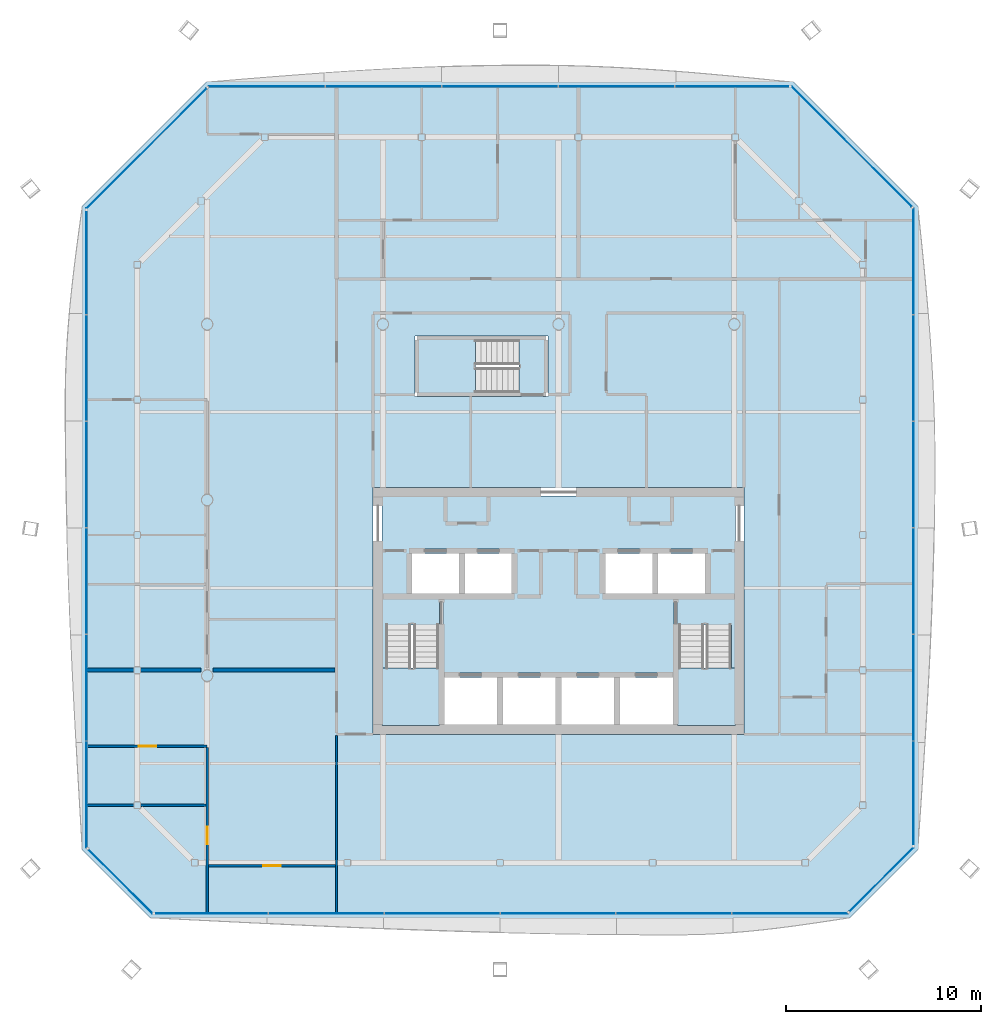
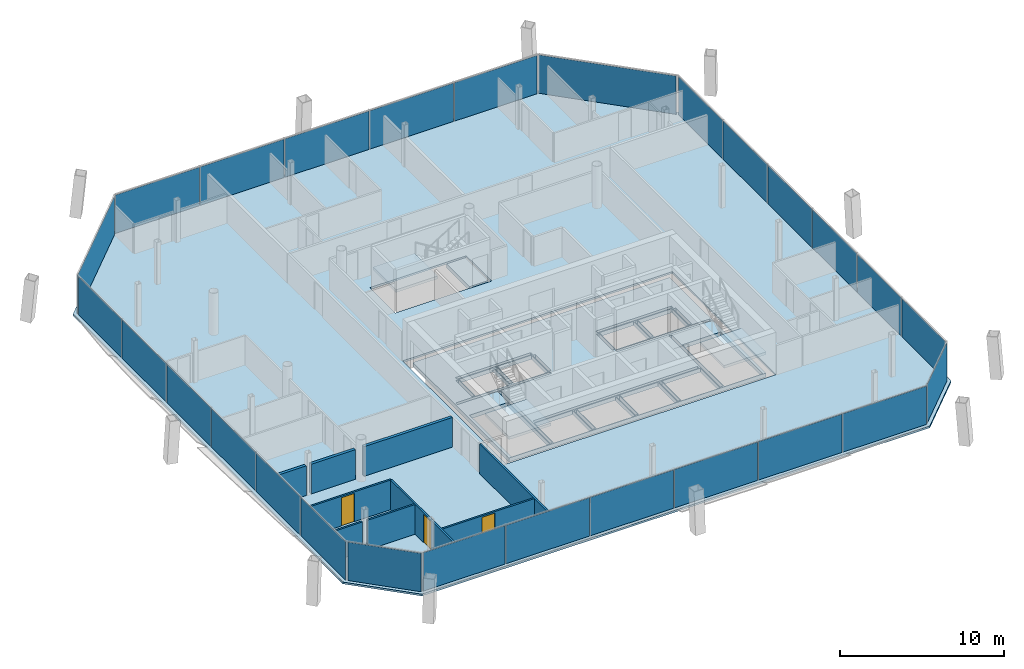
# One storey, part 13 of 20: 27 plates, 9 walls, 6 slabs, 3 doors, 3 openings, 11 elements without a shape of their own.
"""IFC4 building model written with IfcOpenShell, lengths in metres."""

from ifc_helpers import new_model, si_unit, direction, frame, frame_2d, origin, origin_2d, place, context, subcontext, project, spatial, polyline, rectangle, outline, extrude, material, layer, layer_set, type_object, element, fill, aggregate, save


model = new_model("IFC4")

# Units and contexts
model_context = context("Model", 3, precision=1e-05, world=origin(), true_north=direction((0.0, 1.0)))
body_context = subcontext(model_context, "Body", "Model", "MODEL_VIEW")
ifc_project = project(units=[si_unit("LENGTHUNIT", "METRE"), si_unit("AREAUNIT", "SQUARE_METRE"), si_unit("VOLUMEUNIT", "CUBIC_METRE"), si_unit("PLANEANGLEUNIT", "RADIAN"), si_unit("MASSUNIT", "GRAM", prefix="KILO")], contexts=[model_context])

# Site, building, storey
site_placement = place(None, origin())
site = spatial("IfcSite", under=ifc_project, at=site_placement, CompositionType="ELEMENT")
building_placement = place(site_placement, origin())
building = spatial("IfcBuilding", under=site, at=building_placement, Name="Tskaro Facet Tower", CompositionType="ELEMENT")
storey_placement = place(building_placement, frame((0.0, 0.0, 175.35009765625)))
storey = spatial("IfcBuildingStorey", under=building, at=storey_placement, Name="L43", CompositionType="ELEMENT", Elevation=175.35009765625)

# Slab
ifc_material_1 = material(Name="Concrete C30/37", Category="concrete")
ifc_layer_1 = layer(ifc_material_1, 0.139892578125, Name="Concrete C30/37")
ifc_layer_set_1 = layer_set([ifc_layer_1], Name="Concrete C30/37")
slab_type_1 = type_object("IfcSlabType", Name="Composite deck floor slab", PredefinedType="FLOOR", material=ifc_layer_set_1)
slab_1_placement = place(storey_placement, frame((0.0, 0.0, -0.14013671875)))
element("IfcSlab", 1, at=slab_1_placement, inside=storey, type_object=slab_type_1, Name="Floor slab FS3 L43", PredefinedType="FLOOR", context=body_context, shape_type="SweptSolid", body=[
    extrude(outline(polyline([(-20.904052734375, -21.426025390625), (14.904052734375, -21.426025390625), (18.426025390625, -17.904052734375), (18.426025390625, 15.034912109375), (12.034912109375, 21.426025390625), (-18.034912109375, 21.426025390625), (-24.426025390625, 15.034912109375), (-24.426025390625, -17.904052734375), (-20.904052734375, -21.426025390625)]), holes=[polyline([(-9.5, -12.0), (9.5, -12.0), (9.5, 0.64990234375), (-9.5, 0.64990234375), (-9.5, -12.0)]), polyline([(-7.35009765625, 5.300048828125), (-0.550048828125, 5.300048828125), (-0.550048828125, 8.39990234375), (-7.35009765625, 8.39990234375), (-7.35009765625, 5.300048828125)])]), origin(), (0.0, 0.0, 1.0), 0.14013671875),
])

# Curtain wall, plates
ifc_material_2 = material(Name="Bronze anodised aluminium 6063-T6", Category="aluminium")
curtain_wall_type = type_object("IfcCurtainWallType", Name="Bronze residence curtain wall (FW3)", PredefinedType="NOTDEFINED", material=ifc_material_2)
curtain_wall_1_placement = place(storey_placement, origin())
curtain_wall_1 = element("IfcCurtainWall", 2, at=curtain_wall_1_placement, inside=storey, type_object=curtain_wall_type, Name="FW3 south facet L43", PredefinedType="NOTDEFINED")
ifc_material_3 = material(Name="Bronze low-iron glass", Category="glass")
ifc_layer_2 = layer(ifc_material_3, 0.028076171875, Name="Bronze low-iron glass")
ifc_layer_set_2 = layer_set([ifc_layer_2], Name="Bronze low-iron glass")
plate_type = type_object("IfcPlateType", Name="FW3 bronze-tinted unit glazing 28", PredefinedType="CURTAIN_PANEL", material=ifc_layer_set_2)
plate_1_placement = place(storey_placement, frame((-17.77587890625, -21.176025390625, 0.0), z_axis=(0.0, 0.0, 1.0), x_axis=(1.0, 0.0, 0.0)))
plate_1 = element("IfcPlate", 3, at=plate_1_placement, type_object=plate_type, Name="FW3 south glazing 1.1", PredefinedType="CURTAIN_PANEL", context=body_context, shape_type="SweptSolid", body=[
    extrude(rectangle(XDim=5.768310546875, YDim=0.028076171875, at=origin_2d()), origin(), (0.0, 0.0, 1.0), 2.860107421875),
])
plate_2_placement = place(storey_placement, frame((-11.89990234375, -21.176025390625, 0.0), z_axis=(0.0, 0.0, 1.0), x_axis=(1.0, 0.0, 0.0)))
plate_2 = element("IfcPlate", 4, at=plate_2_placement, type_object=plate_type, Name="FW3 south glazing 2.1", PredefinedType="CURTAIN_PANEL", context=body_context, shape_type="SweptSolid", body=[
    extrude(rectangle(XDim=5.88330078125, YDim=0.028076171875, at=origin_2d()), origin(), (0.0, 0.0, 1.0), 2.860107421875),
])
plate_3_placement = place(storey_placement, frame((-5.966552734375, -21.176025390625, 0.0), z_axis=(0.0, 0.0, 1.0), x_axis=(1.0, 0.0, 0.0)))
plate_3 = element("IfcPlate", 5, at=plate_3_placement, type_object=plate_type, Name="FW3 south glazing 3.1", PredefinedType="CURTAIN_PANEL", context=body_context, shape_type="SweptSolid", body=[
    extrude(rectangle(XDim=5.88330078125, YDim=0.028076171875, at=origin_2d()), origin(), (0.0, 0.0, 1.0), 2.860107421875),
])
plate_4_placement = place(storey_placement, frame((-0.033447265625, -21.176025390625, 0.0), z_axis=(0.0, 0.0, 1.0), x_axis=(1.0, 0.0, 0.0)))
plate_4 = element("IfcPlate", 6, at=plate_4_placement, type_object=plate_type, Name="FW3 south glazing 4.1", PredefinedType="CURTAIN_PANEL", context=body_context, shape_type="SweptSolid", body=[
    extrude(rectangle(XDim=5.88330078125, YDim=0.028076171875, at=origin_2d()), origin(), (0.0, 0.0, 1.0), 2.860107421875),
])
plate_5_placement = place(storey_placement, frame((5.89990234375, -21.176025390625, 0.0), z_axis=(0.0, 0.0, 1.0), x_axis=(1.0, 0.0, 0.0)))
plate_5 = element("IfcPlate", 7, at=plate_5_placement, type_object=plate_type, Name="FW3 south glazing 5.1", PredefinedType="CURTAIN_PANEL", context=body_context, shape_type="SweptSolid", body=[
    extrude(rectangle(XDim=5.88330078125, YDim=0.028076171875, at=origin_2d()), origin(), (0.0, 0.0, 1.0), 2.860107421875),
])
plate_6_placement = place(storey_placement, frame((11.845947265625, -21.176025390625, 0.0), z_axis=(0.0, 0.0, 1.0), x_axis=(1.0, 0.0, 0.0)))
plate_6 = element("IfcPlate", 8, at=plate_6_placement, type_object=plate_type, Name="FW3 south glazing 6.1", PredefinedType="CURTAIN_PANEL", context=body_context, shape_type="SweptSolid", body=[
    extrude(rectangle(XDim=5.908447265625, YDim=0.028076171875, at=origin_2d()), origin(), (0.0, 0.0, 1.0), 2.860107421875),
])
aggregate(curtain_wall_1, [plate_1, plate_2, plate_3, plate_4, plate_5, plate_6])

# Curtain wall, plate
curtain_wall_2_placement = place(storey_placement, origin())
curtain_wall_2 = element("IfcCurtainWall", 9, at=curtain_wall_2_placement, inside=storey, type_object=curtain_wall_type, Name="FW3 south-east facet L43", PredefinedType="NOTDEFINED")
plate_7_placement = place(storey_placement, frame((16.53759765625, -19.4384765625, 0.0), z_axis=(0.0, 0.0, 1.0), x_axis=(0.707106781187, 0.707106781187, 0.0)))
plate_7 = element("IfcPlate", 10, at=plate_7_placement, type_object=plate_type, Name="FW3 south-east glazing 1.1", PredefinedType="CURTAIN_PANEL", context=body_context, shape_type="SweptSolid", body=[
    extrude(rectangle(XDim=4.63427734375, YDim=0.028076171875, at=origin_2d()), origin(), (0.0, 0.0, 1.0), 2.860107421875),
])
aggregate(curtain_wall_2, [plate_7])

# Curtain wall, plates
curtain_wall_3_placement = place(storey_placement, origin())
curtain_wall_3 = element("IfcCurtainWall", 11, at=curtain_wall_3_placement, inside=storey, type_object=curtain_wall_type, Name="FW3 east facet L43", PredefinedType="NOTDEFINED")
plate_8_placement = place(storey_placement, frame((18.176025390625, -15.014892578125, 0.0), z_axis=(0.0, 0.0, 1.0), x_axis=(0.0, 1.0, 0.0)))
plate_8 = element("IfcPlate", 12, at=plate_8_placement, type_object=plate_type, Name="FW3 east glazing 1.1", PredefinedType="CURTAIN_PANEL", context=body_context, shape_type="SweptSolid", body=[
    extrude(rectangle(XDim=5.290283203125, YDim=0.028076171875, at=origin_2d()), origin(), (0.0, 0.0, 1.0), 2.860107421875),
])
plate_9_placement = place(storey_placement, frame((18.176025390625, -9.6171875, 0.0), z_axis=(0.0, 0.0, 1.0), x_axis=(0.0, 1.0, 0.0)))
plate_9 = element("IfcPlate", 13, at=plate_9_placement, type_object=plate_type, Name="FW3 east glazing 2.1", PredefinedType="CURTAIN_PANEL", context=body_context, shape_type="SweptSolid", body=[
    extrude(rectangle(XDim=5.4052734375, YDim=0.028076171875, at=origin_2d()), origin(), (0.0, 0.0, 1.0), 2.860107421875),
])
plate_10_placement = place(storey_placement, frame((18.176025390625, -4.162109375, 0.0), z_axis=(0.0, 0.0, 1.0), x_axis=(0.0, 1.0, 0.0)))
plate_10 = element("IfcPlate", 14, at=plate_10_placement, type_object=plate_type, Name="FW3 east glazing 3.1", PredefinedType="CURTAIN_PANEL", context=body_context, shape_type="SweptSolid", body=[
    extrude(rectangle(XDim=5.4052734375, YDim=0.028076171875, at=origin_2d()), origin(), (0.0, 0.0, 1.0), 2.860107421875),
])
plate_11_placement = place(storey_placement, frame((18.176025390625, 1.29296875, 0.0), z_axis=(0.0, 0.0, 1.0), x_axis=(0.0, 1.0, 0.0)))
plate_11 = element("IfcPlate", 15, at=plate_11_placement, type_object=plate_type, Name="FW3 east glazing 4.1", PredefinedType="CURTAIN_PANEL", context=body_context, shape_type="SweptSolid", body=[
    extrude(rectangle(XDim=5.4052734375, YDim=0.028076171875, at=origin_2d()), origin(), (0.0, 0.0, 1.0), 2.860107421875),
])
plate_12_placement = place(storey_placement, frame((18.176025390625, 6.748291015625, 0.0), z_axis=(0.0, 0.0, 1.0), x_axis=(0.0, 1.0, 0.0)))
plate_12 = element("IfcPlate", 16, at=plate_12_placement, type_object=plate_type, Name="FW3 east glazing 5.1", PredefinedType="CURTAIN_PANEL", context=body_context, shape_type="SweptSolid", body=[
    extrude(rectangle(XDim=5.4052734375, YDim=0.028076171875, at=origin_2d()), origin(), (0.0, 0.0, 1.0), 2.860107421875),
])
plate_13_placement = place(storey_placement, frame((18.176025390625, 12.2158203125, 0.0), z_axis=(0.0, 0.0, 1.0), x_axis=(0.0, 1.0, 0.0)))
plate_13 = element("IfcPlate", 17, at=plate_13_placement, type_object=plate_type, Name="FW3 east glazing 6.1", PredefinedType="CURTAIN_PANEL", context=body_context, shape_type="SweptSolid", body=[
    extrude(rectangle(XDim=5.43017578125, YDim=0.028076171875, at=origin_2d()), origin(), (0.0, 0.0, 1.0), 2.860107421875),
])
aggregate(curtain_wall_3, [plate_8, plate_9, plate_10, plate_11, plate_12, plate_13])

# Curtain wall, plate
curtain_wall_4_placement = place(storey_placement, origin())
curtain_wall_4 = element("IfcCurtainWall", 18, at=curtain_wall_4_placement, inside=storey, type_object=curtain_wall_type, Name="FW3 north-east facet L43", PredefinedType="NOTDEFINED")
plate_14_placement = place(storey_placement, frame((15.00390625, 18.10302734375, 0.0), z_axis=(0.0, 0.0, 1.0), x_axis=(-0.707106781187, 0.707106781187, 0.0)))
plate_14 = element("IfcPlate", 19, at=plate_14_placement, type_object=plate_type, Name="FW3 north-east glazing 1.1", PredefinedType="CURTAIN_PANEL", context=body_context, shape_type="SweptSolid", body=[
    extrude(rectangle(XDim=8.691650390625, YDim=0.028076171875, at=origin_2d()), origin(), (0.0, 0.0, 1.0), 2.860107421875),
])
aggregate(curtain_wall_4, [plate_14])

# Curtain wall, plates
curtain_wall_5_placement = place(storey_placement, origin())
curtain_wall_5 = element("IfcCurtainWall", 20, at=curtain_wall_5_placement, inside=storey, type_object=curtain_wall_type, Name="FW3 north facet L43", PredefinedType="NOTDEFINED")
plate_15_placement = place(storey_placement, frame((8.88720703125, 21.176025390625, 0.0), z_axis=(0.0, 0.0, 1.0), x_axis=(-1.0, 0.0, 0.0)))
plate_15 = element("IfcPlate", 21, at=plate_15_placement, type_object=plate_type, Name="FW3 north glazing 1.1", PredefinedType="CURTAIN_PANEL", context=body_context, shape_type="SweptSolid", body=[
    extrude(rectangle(XDim=5.807373046875, YDim=0.028076171875, at=origin_2d()), origin(), (0.0, 0.0, 1.0), 2.860107421875),
])
plate_16_placement = place(storey_placement, frame((2.972412109375, 21.176025390625, 0.0), z_axis=(0.0, 0.0, 1.0), x_axis=(-1.0, 0.0, 0.0)))
plate_16 = element("IfcPlate", 22, at=plate_16_placement, type_object=plate_type, Name="FW3 north glazing 2.1", PredefinedType="CURTAIN_PANEL", context=body_context, shape_type="SweptSolid", body=[
    extrude(rectangle(XDim=5.92236328125, YDim=0.028076171875, at=origin_2d()), origin(), (0.0, 0.0, 1.0), 2.860107421875),
])
plate_17_placement = place(storey_placement, frame((-3.0, 21.176025390625, 0.0), z_axis=(0.0, 0.0, 1.0), x_axis=(-1.0, 0.0, 0.0)))
plate_17 = element("IfcPlate", 23, at=plate_17_placement, type_object=plate_type, Name="FW3 north glazing 3.1", PredefinedType="CURTAIN_PANEL", context=body_context, shape_type="SweptSolid", body=[
    extrude(rectangle(XDim=5.92236328125, YDim=0.028076171875, at=origin_2d()), origin(), (0.0, 0.0, 1.0), 2.860107421875),
])
plate_18_placement = place(storey_placement, frame((-8.972412109375, 21.176025390625, 0.0), z_axis=(0.0, 0.0, 1.0), x_axis=(-1.0, 0.0, 0.0)))
plate_18 = element("IfcPlate", 24, at=plate_18_placement, type_object=plate_type, Name="FW3 north glazing 4.1", PredefinedType="CURTAIN_PANEL", context=body_context, shape_type="SweptSolid", body=[
    extrude(rectangle(XDim=5.92236328125, YDim=0.028076171875, at=origin_2d()), origin(), (0.0, 0.0, 1.0), 2.860107421875),
])
plate_19_placement = place(storey_placement, frame((-14.957275390625, 21.176025390625, 0.0), z_axis=(0.0, 0.0, 1.0), x_axis=(-1.0, 0.0, 0.0)))
plate_19 = element("IfcPlate", 25, at=plate_19_placement, type_object=plate_type, Name="FW3 north glazing 5.1", PredefinedType="CURTAIN_PANEL", context=body_context, shape_type="SweptSolid", body=[
    extrude(rectangle(XDim=5.947509765625, YDim=0.028076171875, at=origin_2d()), origin(), (0.0, 0.0, 1.0), 2.860107421875),
])
aggregate(curtain_wall_5, [plate_15, plate_16, plate_17, plate_18, plate_19])

# Curtain wall, plate
curtain_wall_6_placement = place(storey_placement, origin())
curtain_wall_6 = element("IfcCurtainWall", 26, at=curtain_wall_6_placement, inside=storey, type_object=curtain_wall_type, Name="FW3 north-west facet L43", PredefinedType="NOTDEFINED")
plate_20_placement = place(storey_placement, frame((-21.10302734375, 18.00390625, 0.0), z_axis=(0.0, 0.0, 1.0), x_axis=(-0.707106781187, -0.707106781187, 0.0)))
plate_20 = element("IfcPlate", 27, at=plate_20_placement, type_object=plate_type, Name="FW3 north-west glazing 1.1", PredefinedType="CURTAIN_PANEL", context=body_context, shape_type="SweptSolid", body=[
    extrude(rectangle(XDim=8.691650390625, YDim=0.028076171875, at=origin_2d()), origin(), (0.0, 0.0, 1.0), 2.860107421875),
])
aggregate(curtain_wall_6, [plate_20])

# Curtain wall, plates
curtain_wall_7_placement = place(storey_placement, origin())
curtain_wall_7 = element("IfcCurtainWall", 28, at=curtain_wall_7_placement, inside=storey, type_object=curtain_wall_type, Name="FW3 west facet L43", PredefinedType="NOTDEFINED")
plate_21_placement = place(storey_placement, frame((-24.176025390625, 12.14599609375, 0.0), z_axis=(0.0, 0.0, 1.0), x_axis=(0.0, -1.0, 0.0)))
plate_21 = element("IfcPlate", 29, at=plate_21_placement, type_object=plate_type, Name="FW3 west glazing 1.1", PredefinedType="CURTAIN_PANEL", context=body_context, shape_type="SweptSolid", body=[
    extrude(rectangle(XDim=5.290283203125, YDim=0.028076171875, at=origin_2d()), origin(), (0.0, 0.0, 1.0), 2.860107421875),
])
plate_22_placement = place(storey_placement, frame((-24.176025390625, 6.748291015625, 0.0), z_axis=(0.0, 0.0, 1.0), x_axis=(0.0, -1.0, 0.0)))
plate_22 = element("IfcPlate", 30, at=plate_22_placement, type_object=plate_type, Name="FW3 west glazing 2.1", PredefinedType="CURTAIN_PANEL", context=body_context, shape_type="SweptSolid", body=[
    extrude(rectangle(XDim=5.4052734375, YDim=0.028076171875, at=origin_2d()), origin(), (0.0, 0.0, 1.0), 2.860107421875),
])
plate_23_placement = place(storey_placement, frame((-24.176025390625, 1.29296875, 0.0), z_axis=(0.0, 0.0, 1.0), x_axis=(0.0, -1.0, 0.0)))
plate_23 = element("IfcPlate", 31, at=plate_23_placement, type_object=plate_type, Name="FW3 west glazing 3.1", PredefinedType="CURTAIN_PANEL", context=body_context, shape_type="SweptSolid", body=[
    extrude(rectangle(XDim=5.4052734375, YDim=0.028076171875, at=origin_2d()), origin(), (0.0, 0.0, 1.0), 2.860107421875),
])
plate_24_placement = place(storey_placement, frame((-24.176025390625, -4.162109375, 0.0), z_axis=(0.0, 0.0, 1.0), x_axis=(0.0, -1.0, 0.0)))
plate_24 = element("IfcPlate", 32, at=plate_24_placement, type_object=plate_type, Name="FW3 west glazing 4.1", PredefinedType="CURTAIN_PANEL", context=body_context, shape_type="SweptSolid", body=[
    extrude(rectangle(XDim=5.4052734375, YDim=0.028076171875, at=origin_2d()), origin(), (0.0, 0.0, 1.0), 2.860107421875),
])
plate_25_placement = place(storey_placement, frame((-24.176025390625, -9.6171875, 0.0), z_axis=(0.0, 0.0, 1.0), x_axis=(0.0, -1.0, 0.0)))
plate_25 = element("IfcPlate", 33, at=plate_25_placement, type_object=plate_type, Name="FW3 west glazing 5.1", PredefinedType="CURTAIN_PANEL", context=body_context, shape_type="SweptSolid", body=[
    extrude(rectangle(XDim=5.4052734375, YDim=0.028076171875, at=origin_2d()), origin(), (0.0, 0.0, 1.0), 2.860107421875),
])
plate_26_placement = place(storey_placement, frame((-24.176025390625, -15.0849609375, 0.0), z_axis=(0.0, 0.0, 1.0), x_axis=(0.0, -1.0, 0.0)))
plate_26 = element("IfcPlate", 34, at=plate_26_placement, type_object=plate_type, Name="FW3 west glazing 6.1", PredefinedType="CURTAIN_PANEL", context=body_context, shape_type="SweptSolid", body=[
    extrude(rectangle(XDim=5.43017578125, YDim=0.028076171875, at=origin_2d()), origin(), (0.0, 0.0, 1.0), 2.860107421875),
])
aggregate(curtain_wall_7, [plate_21, plate_22, plate_23, plate_24, plate_25, plate_26])

# Curtain wall, plate
curtain_wall_8_placement = place(storey_placement, origin())
curtain_wall_8 = element("IfcCurtainWall", 35, at=curtain_wall_8_placement, inside=storey, type_object=curtain_wall_type, Name="FW3 south-west facet L43", PredefinedType="NOTDEFINED")
plate_27_placement = place(storey_placement, frame((-22.4384765625, -19.53759765625, 0.0), z_axis=(0.0, 0.0, 1.0), x_axis=(0.707106781187, -0.707106781187, 0.0)))
plate_27 = element("IfcPlate", 36, at=plate_27_placement, type_object=plate_type, Name="FW3 south-west glazing 1.1", PredefinedType="CURTAIN_PANEL", context=body_context, shape_type="SweptSolid", body=[
    extrude(rectangle(XDim=4.63427734375, YDim=0.028076171875, at=origin_2d()), origin(), (0.0, 0.0, 1.0), 2.860107421875),
])
aggregate(curtain_wall_8, [plate_27])

# Stair, slab
ifc_material_4 = material(Name="Concrete C40/50", Category="concrete")
stair_type = type_object("IfcStairType", Name="ST-TWR", PredefinedType="HALF_TURN_STAIR", material=ifc_material_4)
stair_1_placement = place(storey_placement, origin())
stair_1 = element("IfcStair", 37, at=stair_1_placement, inside=storey, type_object=stair_type, Name="L43 Exit stair 1", PredefinedType="HALF_TURN_STAIR")
ifc_layer_3 = layer(ifc_material_4, 0.199951171875, Name="Concrete C40/50")
ifc_layer_set_3 = layer_set([ifc_layer_3], Name="Concrete C40/50")
slab_type_2 = type_object("IfcSlabType", Name="SL-LANDING", PredefinedType="LANDING", material=ifc_layer_set_3)
slab_2_placement = place(storey_placement, frame((0.0, 0.0, 1.375)))
slab_2 = element("IfcSlab", 38, at=slab_2_placement, type_object=slab_type_2, Name="ST-1 landing 1", PredefinedType="LANDING", context=body_context, shape_type="SweptSolid", body=[
    extrude(outline(polyline([(-9.050048828125, -11.550048828125), (-6.10009765625, -11.550048828125), (-6.10009765625, -8.614990234375), (-9.050048828125, -8.614990234375), (-9.050048828125, -11.550048828125)])), origin(), (0.0, 0.0, 1.0), 0.199951171875),
])
aggregate(stair_1, [slab_2])

stair_2_placement = place(storey_placement, origin())
stair_2 = element("IfcStair", 39, at=stair_2_placement, inside=storey, type_object=stair_type, Name="L43 Exit stair 2", PredefinedType="HALF_TURN_STAIR")
slab_3_placement = place(storey_placement, frame((0.0, 0.0, 1.375)))
slab_3 = element("IfcSlab", 40, at=slab_3_placement, type_object=slab_type_2, Name="ST-2 landing 1", PredefinedType="LANDING", context=body_context, shape_type="SweptSolid", body=[
    extrude(outline(polyline([(6.10009765625, -11.550048828125), (9.050048828125, -11.550048828125), (9.050048828125, -8.614990234375), (6.10009765625, -8.614990234375), (6.10009765625, -11.550048828125)])), origin(), (0.0, 0.0, 1.0), 0.199951171875),
])
aggregate(stair_2, [slab_3])

stair_3_placement = place(storey_placement, origin())
stair_3 = element("IfcStair", 41, at=stair_3_placement, inside=storey, type_object=stair_type, Name="L43 Exit stair 3", PredefinedType="HALF_TURN_STAIR")
slab_4_placement = place(storey_placement, frame((0.0, 0.0, 1.375)))
slab_4 = element("IfcSlab", 42, at=slab_4_placement, type_object=slab_type_2, Name="ST-3 landing 1", PredefinedType="LANDING", context=body_context, shape_type="SweptSolid", body=[
    extrude(outline(polyline([(-7.199951171875, 5.449951171875), (-4.264892578125, 5.449951171875), (-4.264892578125, 8.25), (-7.199951171875, 8.25), (-7.199951171875, 5.449951171875)])), origin(), (0.0, 0.0, 1.0), 0.199951171875),
])
aggregate(stair_3, [slab_4])

# Slabs
ifc_material_5 = material(Name="Concrete C60/75", Category="concrete")
ifc_layer_4 = layer(ifc_material_5, 0.300048828125, Name="Concrete C60/75")
ifc_layer_set_4 = layer_set([ifc_layer_4], Name="Concrete C60/75")
slab_type_3 = type_object("IfcSlabType", Name="SLAB-CORE", PredefinedType="FLOOR", material=ifc_layer_set_4)
slab_5_placement = place(storey_placement, frame((0.0, 0.0, -0.300048828125)))
element("IfcSlab", 43, at=slab_5_placement, inside=storey, type_object=slab_type_3, Name="Core floor slab 1", PredefinedType="FLOOR", context=body_context, shape_type="SweptSolid", body=[
    extrude(outline(polyline([(-9.050048828125, 0.199951171875), (9.050048828125, 0.199951171875), (9.050048828125, 0.10009765625), (9.050048828125, -11.449951171875), (9.050048828125, -11.550048828125), (-9.050048828125, -11.550048828125), (-9.050048828125, -11.449951171875), (-9.050048828125, 0.10009765625), (-9.050048828125, 0.199951171875)]), holes=[polyline([(-5.85009765625, -9.10009765625), (-5.85009765625, -11.5), (-3.14990234375, -11.5), (-3.14990234375, -9.10009765625), (-5.85009765625, -9.10009765625)]), polyline([(-3.10009765625, -11.449951171875), (-2.89990234375, -11.449951171875), (-2.89990234375, -9.14990234375), (-3.10009765625, -9.14990234375), (-3.10009765625, -11.449951171875)]), polyline([(-2.85009765625, -9.10009765625), (-2.85009765625, -11.5), (-0.14990234375, -11.5), (-0.14990234375, -9.10009765625), (-2.85009765625, -9.10009765625)]), polyline([(-6.10009765625, -11.449951171875), (-5.89990234375, -11.449951171875), (-5.89990234375, -5.14990234375), (-6.10009765625, -5.14990234375), (-6.10009765625, -11.449951171875)]), polyline([(-8.949951171875, -5.050048828125), (-2.300048828125, -5.050048828125), (-2.300048828125, -4.85009765625), (-8.949951171875, -4.85009765625), (-8.949951171875, -5.050048828125)]), polyline([(-7.75, -4.75), (-7.550048828125, -4.75), (-7.550048828125, -2.800048828125), (-7.75, -2.800048828125), (-7.75, -4.75)]), polyline([(-5.10009765625, -2.75), (-7.5, -2.75), (-7.5, -4.800048828125), (-5.10009765625, -4.800048828125), (-5.10009765625, -2.75)]), polyline([(-5.050048828125, -4.75), (-4.85009765625, -4.75), (-4.85009765625, -2.800048828125), (-5.050048828125, -2.800048828125), (-5.050048828125, -4.75)]), polyline([(-2.39990234375, -2.75), (-4.800048828125, -2.75), (-4.800048828125, -4.800048828125), (-2.39990234375, -4.800048828125), (-2.39990234375, -2.75)]), polyline([(-2.35009765625, -4.75), (-2.14990234375, -4.75), (-2.14990234375, -2.800048828125), (-2.35009765625, -2.800048828125), (-2.35009765625, -4.75)]), polyline([(-7.60009765625, -2.699951171875), (-2.300048828125, -2.699951171875), (-2.300048828125, -2.5), (-7.60009765625, -2.5), (-7.60009765625, -2.699951171875)]), polyline([(-0.10009765625, -11.449951171875), (0.10009765625, -11.449951171875), (0.10009765625, -9.14990234375), (-0.10009765625, -9.14990234375), (-0.10009765625, -11.449951171875)]), polyline([(0.14990234375, -9.10009765625), (0.14990234375, -11.5), (2.85009765625, -11.5), (2.85009765625, -9.10009765625), (0.14990234375, -9.10009765625)]), polyline([(2.89990234375, -11.449951171875), (3.10009765625, -11.449951171875), (3.10009765625, -9.14990234375), (2.89990234375, -9.14990234375), (2.89990234375, -11.449951171875)]), polyline([(3.14990234375, -9.10009765625), (3.14990234375, -11.5), (5.85009765625, -11.5), (5.85009765625, -9.10009765625), (3.14990234375, -9.10009765625)]), polyline([(-5.800048828125, -9.050048828125), (5.800048828125, -9.050048828125), (5.800048828125, -8.85009765625), (-5.800048828125, -8.85009765625), (-5.800048828125, -9.050048828125)]), polyline([(5.89990234375, -11.449951171875), (6.10009765625, -11.449951171875), (6.10009765625, -5.14990234375), (5.89990234375, -5.14990234375), (5.89990234375, -11.449951171875)]), polyline([(2.300048828125, -5.050048828125), (8.949951171875, -5.050048828125), (8.949951171875, -4.85009765625), (2.300048828125, -4.85009765625), (2.300048828125, -5.050048828125)]), polyline([(2.14990234375, -4.75), (2.35009765625, -4.75), (2.35009765625, -2.800048828125), (2.14990234375, -2.800048828125), (2.14990234375, -4.75)]), polyline([(2.39990234375, -2.75), (2.39990234375, -4.800048828125), (4.800048828125, -4.800048828125), (4.800048828125, -2.75), (2.39990234375, -2.75)]), polyline([(4.85009765625, -4.75), (5.050048828125, -4.75), (5.050048828125, -2.800048828125), (4.85009765625, -2.800048828125), (4.85009765625, -4.75)]), polyline([(7.5, -2.75), (5.10009765625, -2.75), (5.10009765625, -4.800048828125), (7.5, -4.800048828125), (7.5, -2.75)]), polyline([(7.550048828125, -4.75), (7.75, -4.75), (7.75, -2.800048828125), (7.550048828125, -2.800048828125), (7.550048828125, -4.75)]), polyline([(2.300048828125, -2.699951171875), (7.60009765625, -2.699951171875), (7.60009765625, -2.5), (2.300048828125, -2.5), (2.300048828125, -2.699951171875)]), polyline([(-8.85009765625, -11.5), (-6.14990234375, -11.5), (-6.14990234375, -6.39501953125), (-8.85009765625, -6.39501953125), (-8.85009765625, -11.5)]), polyline([(6.14990234375, -6.39501953125), (6.14990234375, -11.5), (8.85009765625, -11.5), (8.85009765625, -6.39501953125), (6.14990234375, -6.39501953125)])]), origin(), (0.0, 0.0, 1.0), 0.300048828125),
])
slab_6_placement = place(storey_placement, frame((0.0, 0.0, -0.300048828125)))
element("IfcSlab", 44, at=slab_6_placement, inside=storey, type_object=slab_type_3, Name="Stair 3 floor landing 1", PredefinedType="FLOOR", context=body_context, shape_type="SweptSolid", body=[
    extrude(outline(polyline([(-2.02490234375, 5.449951171875), (-0.699951171875, 5.449951171875), (-0.699951171875, 8.25), (-2.02490234375, 8.25), (-2.02490234375, 5.449951171875)])), origin(), (0.0, 0.0, 1.0), 0.300048828125),
])

# Wall, opening, door
ifc_material_6 = material(Name="Gypsum board on steel studs", Category="steel")
ifc_layer_5 = layer(ifc_material_6, 0.125, Name="Gypsum board on steel studs")
ifc_layer_set_5 = layer_set([ifc_layer_5], Name="Gypsum board on steel studs")
wall_type_1 = type_object("IfcWallType", Name="PART", PredefinedType="PARTITIONING", material=ifc_layer_set_5)
wall_1_placement = place(storey_placement, frame((-11.4375, -18.72509765625, 0.0), z_axis=(0.0, 0.0, 1.0), x_axis=(-1.0, 0.0, 0.0)))
wall_1 = element("IfcWall", 45, at=wall_1_placement, inside=storey, type_object=wall_type_1, Name="Partition W001", PredefinedType="PARTITIONING", context=body_context, shape_type="SweptSolid", body=[
    extrude(rectangle(XDim=6.5, YDim=0.125, at=frame_2d((3.25, 0.0))), origin(), (0.0, 0.0, 1.0), 2.2099609375),
])
opening_1_placement = place(wall_1_placement, frame((2.800048828125, 0.0, 0.0)))
opening_1 = element("IfcOpeningElement", 46, at=opening_1_placement, cuts=wall_1, Name="Opening T12-D01", PredefinedType="OPENING", context=body_context, shape_type="SweptSolid", body=[
    extrude(rectangle(XDim=0.89990234375, YDim=2.10009765625, at=frame_2d((0.449951171875, 1.050048828125))), frame((0.0, 0.072509765625, 0.0), z_axis=(0.0, -1.0, 0.0), x_axis=(1.0, 0.0, 0.0)), (0.0, 0.0, 1.0), 0.14501953125),
])
ifc_material_7 = material(Name="Timber", Category="wood")
door_type = type_object("IfcDoorType", Name="D-ROOM", OperationType="NOTDEFINED", PredefinedType="DOOR", material=ifc_material_7)
door_1_placement = place(opening_1_placement, origin())
door_1 = element("IfcDoor", 47, at=door_1_placement, inside=storey, type_object=door_type, Name="Door T12-D01", OperationType="SINGLE_SWING_RIGHT", OverallHeight=2.10009765625, OverallWidth=0.89990234375, PredefinedType="DOOR", context=body_context, shape_type="SweptSolid", body=[
    extrude(rectangle(XDim=0.89990234375, YDim=2.10009765625, at=frame_2d((0.449951171875, 1.050048828125))), frame((0.0, 0.02490234375, 0.0), z_axis=(0.0, -1.0, 0.0), x_axis=(1.0, 0.0, 0.0)), (0.0, 0.0, 1.0), 0.050048828125),
])
fill(opening_1, door_1)

# Walls
wall_2_placement = place(storey_placement, frame((-24.125, -15.635009765625, 0.0), z_axis=(0.0, 0.0, 1.0), x_axis=(1.0, 0.0, 0.0)))
element("IfcWall", 48, at=wall_2_placement, inside=storey, type_object=wall_type_1, Name="Partition W002", PredefinedType="PARTITIONING", context=body_context, shape_type="SweptSolid", body=[
    extrude(rectangle(XDim=2.366943359375, YDim=0.125, at=frame_2d((1.18359375, 0.0))), origin(), (0.0, 0.0, 1.0), 2.2099609375),
])
wall_3_placement = place(storey_placement, frame((-21.407958984375, -15.635009765625, 0.0), z_axis=(0.0, 0.0, 1.0), x_axis=(1.0, 0.0, 0.0)))
element("IfcWall", 49, at=wall_3_placement, inside=storey, type_object=wall_type_1, Name="Partition W003", PredefinedType="PARTITIONING", context=body_context, shape_type="SweptSolid", body=[
    extrude(rectangle(XDim=3.345458984375, YDim=0.125, at=frame_2d((1.6728515625, 0.0))), origin(), (0.0, 0.0, 1.0), 2.2099609375),
])

# Wall, opening, door
wall_4_placement = place(storey_placement, frame((-18.0, -12.625, 0.0), z_axis=(0.0, 0.0, 1.0), x_axis=(-1.0, 0.0, 0.0)))
wall_4 = element("IfcWall", 50, at=wall_4_placement, inside=storey, type_object=wall_type_1, Name="Partition W004", PredefinedType="PARTITIONING", context=body_context, shape_type="SweptSolid", body=[
    extrude(rectangle(XDim=6.125, YDim=0.125, at=frame_2d((3.0625, 0.0))), origin(), (0.0, 0.0, 1.0), 2.2099609375),
])
opening_2_placement = place(wall_4_placement, frame((2.612548828125, 0.0, 0.0)))
opening_2 = element("IfcOpeningElement", 51, at=opening_2_placement, cuts=wall_4, Name="Opening T12-D03", PredefinedType="OPENING", context=body_context, shape_type="SweptSolid", body=[
    extrude(rectangle(XDim=0.89990234375, YDim=2.10009765625, at=frame_2d((0.449951171875, 1.050048828125))), frame((0.0, 0.072509765625, 0.0), z_axis=(0.0, -1.0, 0.0), x_axis=(1.0, 0.0, 0.0)), (0.0, 0.0, 1.0), 0.14501953125),
])
door_2_placement = place(opening_2_placement, origin())
door_2 = element("IfcDoor", 52, at=door_2_placement, inside=storey, type_object=door_type, Name="Door T12-D03", OperationType="SINGLE_SWING_RIGHT", OverallHeight=2.10009765625, OverallWidth=0.89990234375, PredefinedType="DOOR", context=body_context, shape_type="SweptSolid", body=[
    extrude(rectangle(XDim=0.89990234375, YDim=2.10009765625, at=frame_2d((0.449951171875, 1.050048828125))), frame((0.0, 0.02490234375, 0.0), z_axis=(0.0, -1.0, 0.0), x_axis=(1.0, 0.0, 0.0)), (0.0, 0.0, 1.0), 0.050048828125),
])
fill(opening_2, door_2)

wall_5_placement = place(storey_placement, frame((-18.0, -21.125, 0.0), z_axis=(0.0, 0.0, 1.0), x_axis=(0.0, 1.0, 0.0)))
wall_5 = element("IfcWall", 53, at=wall_5_placement, inside=storey, type_object=wall_type_1, Name="Partition W046", PredefinedType="PARTITIONING", context=body_context, shape_type="SweptSolid", body=[
    extrude(rectangle(XDim=8.4375, YDim=0.125, at=frame_2d((4.21875, 0.0))), origin(), (0.0, 0.0, 1.0), 2.2099609375),
])
opening_3_placement = place(wall_5_placement, frame((3.4951171875, 0.0, 0.0)))
opening_3 = element("IfcOpeningElement", 54, at=opening_3_placement, cuts=wall_5, Name="Opening T12-D02", PredefinedType="OPENING", context=body_context, shape_type="SweptSolid", body=[
    extrude(rectangle(XDim=0.89990234375, YDim=2.10009765625, at=frame_2d((0.449951171875, 1.050048828125))), frame((0.0, 0.072509765625, 0.0), z_axis=(0.0, -1.0, 0.0), x_axis=(1.0, 0.0, 0.0)), (0.0, 0.0, 1.0), 0.14501953125),
])
door_3_placement = place(opening_3_placement, origin())
door_3 = element("IfcDoor", 55, at=door_3_placement, inside=storey, type_object=door_type, Name="Door T12-D02", OperationType="SINGLE_SWING_RIGHT", OverallHeight=2.10009765625, OverallWidth=0.89990234375, PredefinedType="DOOR", context=body_context, shape_type="SweptSolid", body=[
    extrude(rectangle(XDim=0.89990234375, YDim=2.10009765625, at=frame_2d((0.449951171875, 1.050048828125))), frame((0.0, 0.02490234375, 0.0), z_axis=(0.0, -1.0, 0.0), x_axis=(1.0, 0.0, 0.0)), (0.0, 0.0, 1.0), 0.050048828125),
])
fill(opening_3, door_3)

# Walls
wall_6_placement = place(storey_placement, frame((-11.375, -21.125, 0.0), z_axis=(0.0, 0.0, 1.0), x_axis=(0.0, 1.0, 0.0)))
element("IfcWall", 56, at=wall_6_placement, inside=storey, type_object=wall_type_1, Name="Partition W050", PredefinedType="PARTITIONING", context=body_context, shape_type="SweptSolid", body=[
    extrude(rectangle(XDim=9.050048828125, YDim=0.125, at=frame_2d((4.52490234375, 0.0))), origin(), (0.0, 0.0, 1.0), 2.2099609375),
])
ifc_layer_6 = layer(ifc_material_6, 0.199951171875, Name="Gypsum board on steel studs")
ifc_layer_set_6 = layer_set([ifc_layer_6], Name="Gypsum board on steel studs")
wall_type_2 = type_object("IfcWallType", Name="PART-DEMISING", PredefinedType="PARTITIONING", material=ifc_layer_set_6)
wall_7_placement = place(storey_placement, frame((-24.125, -8.715087890625, 0.0), z_axis=(0.0, 0.0, 1.0), x_axis=(1.0, 0.0, 0.0)))
element("IfcWall", 57, at=wall_7_placement, inside=storey, type_object=wall_type_2, Name="Guest room wall W010", PredefinedType="PARTITIONING", context=body_context, shape_type="SweptSolid", body=[
    extrude(rectangle(XDim=2.366943359375, YDim=0.199951171875, at=frame_2d((1.18359375, 0.0))), origin(), (0.0, 0.0, 1.0), 2.2099609375),
])
wall_8_placement = place(storey_placement, frame((-21.407958984375, -8.715087890625, 0.0), z_axis=(0.0, 0.0, 1.0), x_axis=(1.0, 0.0, 0.0)))
element("IfcWall", 58, at=wall_8_placement, inside=storey, type_object=wall_type_2, Name="Guest room wall W011", PredefinedType="PARTITIONING", context=body_context, shape_type="SweptSolid", body=[
    extrude(rectangle(XDim=3.10302734375, YDim=0.199951171875, at=frame_2d((1.551513671875, 0.0))), origin(), (0.0, 0.0, 1.0), 2.2099609375),
])
wall_9_placement = place(storey_placement, frame((-17.695068359375, -8.715087890625, 0.0), z_axis=(0.0, 0.0, 1.0), x_axis=(1.0, 0.0, 0.0)))
element("IfcWall", 59, at=wall_9_placement, inside=storey, type_object=wall_type_2, Name="Guest room wall W012", PredefinedType="PARTITIONING", context=body_context, shape_type="SweptSolid", body=[
    extrude(rectangle(XDim=6.2451171875, YDim=0.199951171875, at=frame_2d((3.12255859375, 0.0))), origin(), (0.0, 0.0, 1.0), 2.2099609375),
])

save(model, "model.ifc")
